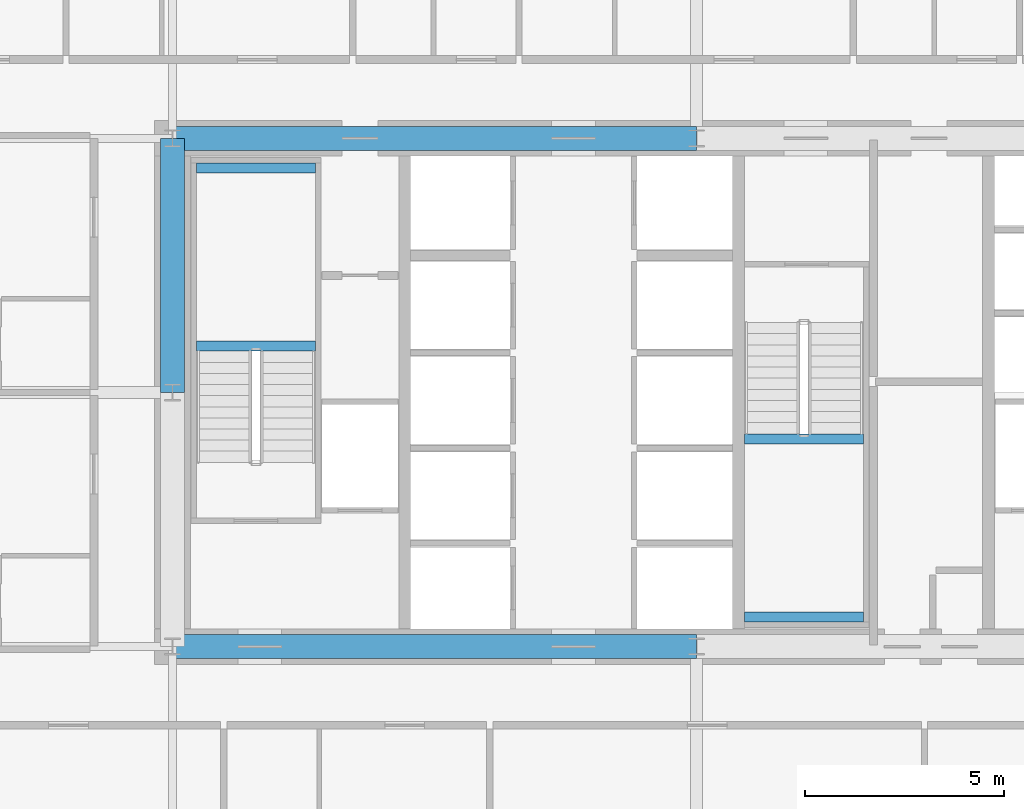
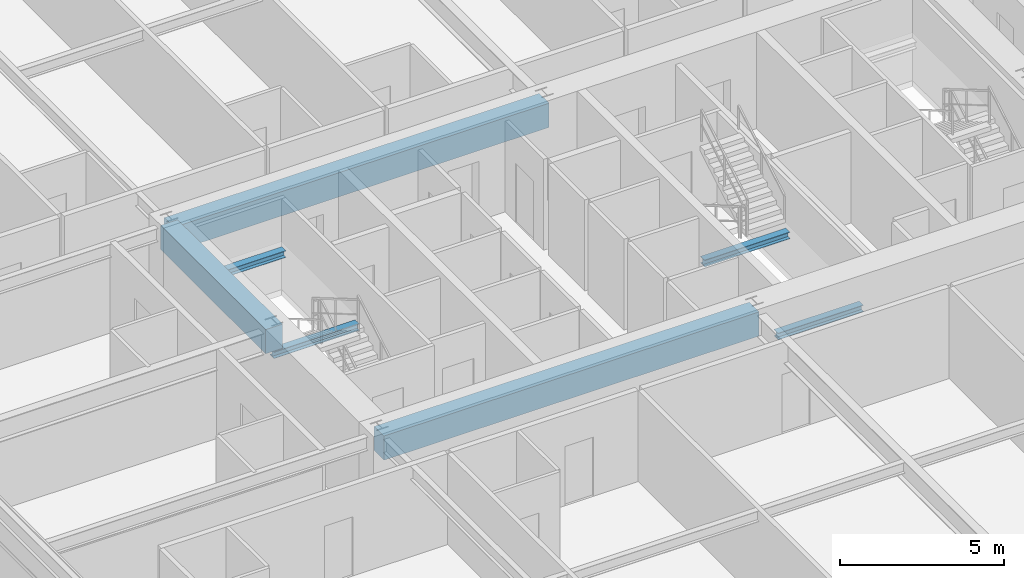
# One storey, part 12 of 43: 7 beams.
"""IFC4 building model written with IfcOpenShell, lengths in metres."""

from ifc_helpers import new_model, si_unit, direction, frame, origin, origin_2d, place, context, subcontext, project, spatial, rectangle, i_section, extrude, source, transform, mapped, material, material_profile, profile_set, type_object, element, save


model = new_model("IFC4")

# Units and contexts
model_context = context("Model", 3, precision=1e-05, world=origin(), true_north=direction((0.0, 1.0)))
body_context = subcontext(model_context, "Body", "Model", "MODEL_VIEW")
ifc_project = project(units=[si_unit("LENGTHUNIT", "METRE"), si_unit("AREAUNIT", "SQUARE_METRE"), si_unit("VOLUMEUNIT", "CUBIC_METRE"), si_unit("PLANEANGLEUNIT", "RADIAN"), si_unit("MASSUNIT", "GRAM", prefix="KILO"), si_unit("THERMODYNAMICTEMPERATUREUNIT", "KELVIN"), si_unit("POWERUNIT", "WATT")], contexts=[model_context])

# Site, building, storey
site_placement = place(None, origin())
site = spatial("IfcSite", under=ifc_project, at=site_placement, CompositionType="ELEMENT")
building_placement = place(site_placement, origin())
building = spatial("IfcBuilding", under=site, at=building_placement, Name="Yuzanri Waterfront Tower", CompositionType="ELEMENT")
storey_placement = place(building_placement, frame((0.0, 0.0, 46.0)))
storey = spatial("IfcBuildingStorey", under=building, at=storey_placement, Name="L11", CompositionType="ELEMENT", Elevation=46.0)

# Beams
ifc_material_1 = material(Name="Concrete C60", Category="concrete")
ifc_material_profile_1 = material_profile(ifc_material_1, rectangle(XDim=0.60009765625, YDim=0.89990234375, at=origin_2d()), Name="RC 600x900")
ifc_profile_set_1 = profile_set([ifc_material_profile_1], Name="Concrete C60")
beam_type_1 = type_object("IfcBeamType", Name="Core Coupling Lintel Concrete C60 600x900", PredefinedType="LINTEL", material=ifc_profile_set_1)
shared_shape_1 = source(origin(), body_context, "Body", "SweptSolid", [
    extrude(rectangle(XDim=0.60009765625, YDim=0.89990234375, at=origin_2d()), origin(), (0.0, 0.0, 1.0), 13.199951171875),
])
for number, where, z_axis, x_axis, name in (
    (1, (23.800048828125, 19.39990234375, 2.929931640625), (1.0, 0.0, 0.0), (0.0, 1.0, 0.0), "L11 Core Tie Beam CS1"),
    (2, (23.800048828125, 32.199951171875, 2.929931640625), (1.0, 0.0, 0.0), (0.0, 1.0, 0.0), "L11 Core Tie Beam CN1"),
):
    element("IfcBeam", number, at=place(storey_placement, frame(where, z_axis=z_axis, x_axis=x_axis)), inside=storey, type_object=beam_type_1, Name=name, PredefinedType="LINTEL", context=body_context, shape_type="MappedRepresentation", body=[
        mapped(shared_shape_1, transform((0.0, 0.0, 0.0), scale=1.0)),
    ])
shared_shape_2 = source(origin(), body_context, "Body", "SweptSolid", [
    extrude(rectangle(XDim=0.60009765625, YDim=0.89990234375, at=origin_2d()), origin(), (0.0, 0.0, 1.0), 6.39990234375),
])
beam_placement = place(storey_placement, frame((23.800048828125, 25.800048828125, 2.929931640625), z_axis=(0.0, 1.0, 0.0), x_axis=(-1.0, 0.0, 0.0)))
element("IfcBeam", 3, at=beam_placement, inside=storey, type_object=beam_type_1, Name="L11 Core Tie Beam CW2", PredefinedType="LINTEL", context=body_context, shape_type="MappedRepresentation", body=[
    mapped(shared_shape_2, transform((0.0, 0.0, 0.0), scale=1.0)),
])
ifc_material_2 = material(Name="Steel Q355B", Category="steel")
ifc_material_profile_2 = material_profile(ifc_material_2, i_section(OverallWidth=0.25, OverallDepth=0.25, WebThickness=0.009033203125, FlangeThickness=0.013916015625, at=origin_2d()), Name="HW 250x250x9x14")
ifc_profile_set_2 = profile_set([ifc_material_profile_2], Name="Steel Q355B")
beam_type_2 = type_object("IfcBeamType", Name="Stair Landing Support Beam Q355B HW 250x250", PredefinedType="BEAM", material=ifc_profile_set_2)
shared_shape_3 = source(origin(), body_context, "Body", "SweptSolid", [
    extrude(i_section(OverallWidth=0.25, OverallDepth=0.25, WebThickness=0.009033203125, FlangeThickness=0.013916015625, at=origin_2d()), origin(), (0.0, 0.0, 1.0), 3.0),
])
for number, where, z_axis, x_axis, name in (
    (4, (24.39990234375, 26.969970703125, 1.47509765625), (1.0, 0.0, 0.0), (0.0, 1.0, 0.0), "L11 Stair Landing Support Beam ST-01-L11-L1-1"),
    (5, (24.39990234375, 31.449951171875, 1.47509765625), (1.0, 0.0, 0.0), (0.0, 1.0, 0.0), "L11 Stair Landing Support Beam ST-01-L11-L1-2"),
    (6, (38.199951171875, 20.14990234375, 1.47509765625), (1.0, 0.0, 0.0), (0.0, 1.0, 0.0), "L11 Stair Landing Support Beam ST-03-L11-L1-1"),
    (7, (38.199951171875, 24.6298828125, 1.47509765625), (1.0, 0.0, 0.0), (0.0, 1.0, 0.0), "L11 Stair Landing Support Beam ST-03-L11-L1-2"),
):
    element("IfcBeam", number, at=place(storey_placement, frame(where, z_axis=z_axis, x_axis=x_axis)), inside=storey, type_object=beam_type_2, Name=name, PredefinedType="BEAM", context=body_context, shape_type="MappedRepresentation", body=[
        mapped(shared_shape_3, transform((0.0, 0.0, 0.0), scale=1.0)),
    ])

save(model, "model.ifc")
